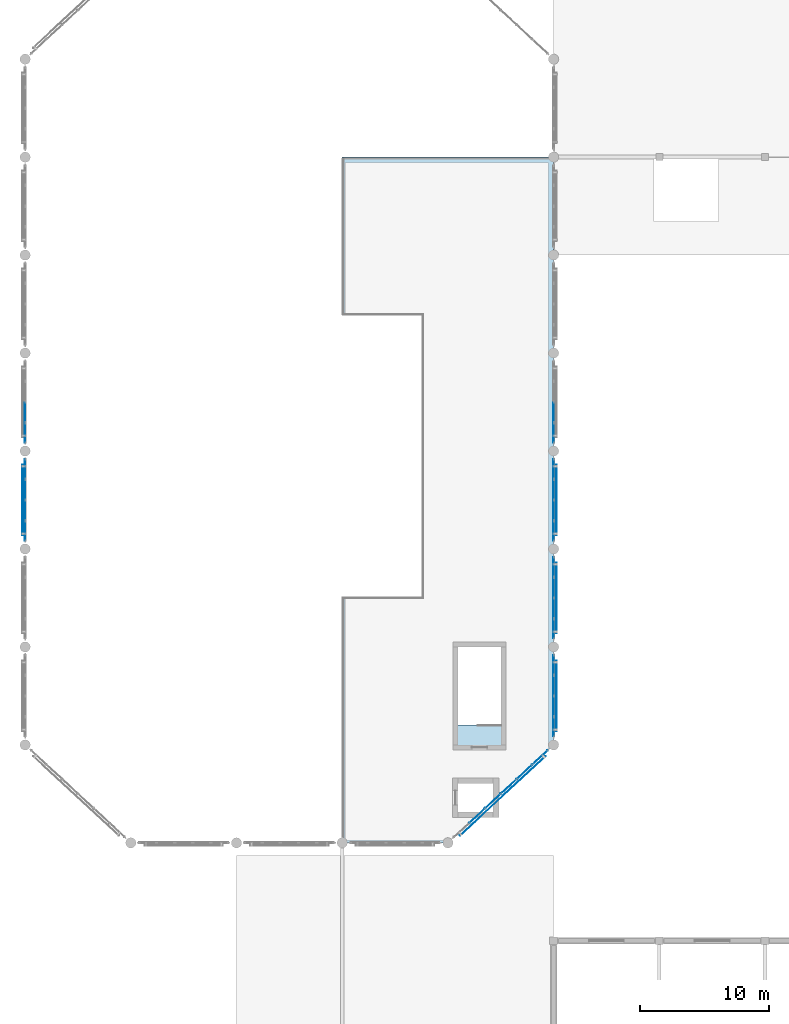
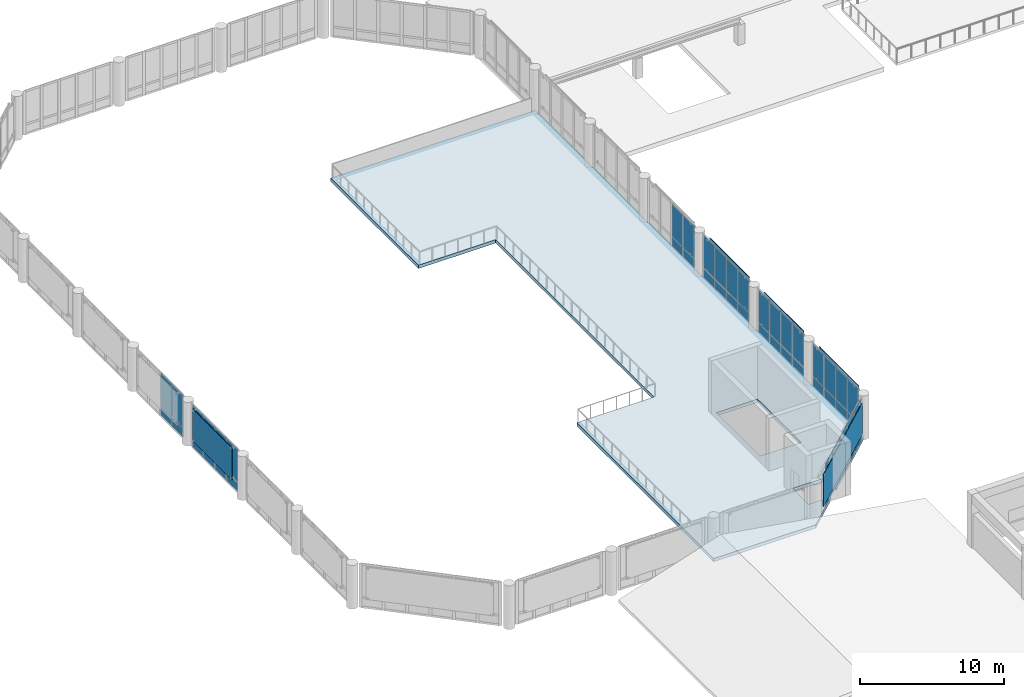
# One storey, part 28 of 49: 55 plates, 1 slab, 7 elements without a shape of their own.
"""IFC4 building model written with IfcOpenShell, lengths in metres."""

from ifc_helpers import new_model, si_unit, direction, frame, origin, origin_2d, place, context, subcontext, project, spatial, polyline, rectangle, outline, extrude, material, layer, layer_set, type_object, element, aggregate, save


model = new_model("IFC4")

# Units and contexts
model_context = context("Model", 3, precision=1e-05, world=origin(), true_north=direction((0.0, 1.0)))
body_context = subcontext(model_context, "Body", "Model", "MODEL_VIEW")
ifc_project = project(units=[si_unit("LENGTHUNIT", "METRE"), si_unit("AREAUNIT", "SQUARE_METRE"), si_unit("VOLUMEUNIT", "CUBIC_METRE"), si_unit("PLANEANGLEUNIT", "RADIAN"), si_unit("MASSUNIT", "GRAM", prefix="KILO")], contexts=[model_context])

# Site, building, storey
site_placement = place(None, origin())
site = spatial("IfcSite", under=ifc_project, at=site_placement, CompositionType="ELEMENT")
building_placement = place(site_placement, origin())
building = spatial("IfcBuilding", under=site, at=building_placement, Name="Qandaris Square Conservatory and Botanical Centre", CompositionType="ELEMENT")
storey_placement = place(building_placement, frame((0.0, 0.0, 10.199951171875)))
storey = spatial("IfcBuildingStorey", under=building, at=storey_placement, Name="L02", CompositionType="ELEMENT", Elevation=10.199951171875)

# Curtain wall, plates
ifc_material_1 = material(Name="Anodised Aluminium", Category="aluminium")
curtain_wall_type_1 = type_object("IfcCurtainWallType", Name="Unitised Curtain Wall CW-2-1002x370", PredefinedType="USERDEFINED", material=ifc_material_1)
curtain_wall_1_placement = place(storey_placement, origin())
curtain_wall_1 = element("IfcCurtainWall", 1, at=curtain_wall_1_placement, inside=storey, type_object=curtain_wall_type_1, Name="Curtain Wall CW-CON-L02-2-1", ObjectType="GLAZED CURTAIN WALL", PredefinedType="USERDEFINED")
ifc_material_2 = material(Name="Tempered Low-E Glass", Category="glass")
ifc_layer_1 = layer(ifc_material_2, 0.0400390625)
ifc_layer_set_1 = layer_set([ifc_layer_1], Name="Tempered Low-E Glass")
plate_type_1 = type_object("IfcPlateType", Name="Conservatory Laminated Low-Iron Biome Glass 40mm", PredefinedType="CURTAIN_PANEL", material=ifc_layer_set_1)
plate_1_placement = place(storey_placement, frame((51.2626953125, 49.09716796875, 0.0751953125), z_axis=(0.0, 0.0, 1.0), x_axis=(0.733432966404, 0.679761784592, 0.0)))
plate_1 = element("IfcPlate", 2, at=plate_1_placement, type_object=plate_type_1, Name="CW-2-1002x370 panel 2.1", PredefinedType="CURTAIN_PANEL", context=body_context, shape_type="SweptSolid", body=[
    extrude(rectangle(XDim=1.594970703125, YDim=0.0400390625, at=origin_2d()), origin(), (0.0, 0.0, 1.0), 0.737548828125),
])
plate_2_placement = place(storey_placement, frame((51.2626953125, 49.09716796875, 0.8876953125), z_axis=(0.0, 0.0, 1.0), x_axis=(0.733432966404, 0.679761784592, 0.0)))
plate_2 = element("IfcPlate", 3, at=plate_2_placement, type_object=plate_type_1, Name="CW-2-1002x370 panel 2.2", PredefinedType="CURTAIN_PANEL", context=body_context, shape_type="SweptSolid", body=[
    extrude(rectangle(XDim=1.594970703125, YDim=0.0400390625, at=origin_2d()), origin(), (0.0, 0.0, 1.0), 2.737548828125),
])
plate_3_placement = place(storey_placement, frame((52.487548828125, 50.232421875, 0.0751953125), z_axis=(0.0, 0.0, 1.0), x_axis=(0.733432966404, 0.679761784592, 0.0)))
plate_3 = element("IfcPlate", 4, at=plate_3_placement, type_object=plate_type_1, Name="CW-2-1002x370 panel 3.1", PredefinedType="CURTAIN_PANEL", context=body_context, shape_type="SweptSolid", body=[
    extrude(rectangle(XDim=1.594970703125, YDim=0.0400390625, at=origin_2d()), origin(), (0.0, 0.0, 1.0), 0.737548828125),
])
plate_4_placement = place(storey_placement, frame((52.487548828125, 50.232421875, 0.8876953125), z_axis=(0.0, 0.0, 1.0), x_axis=(0.733432966404, 0.679761784592, 0.0)))
plate_4 = element("IfcPlate", 5, at=plate_4_placement, type_object=plate_type_1, Name="CW-2-1002x370 panel 3.2", PredefinedType="CURTAIN_PANEL", context=body_context, shape_type="SweptSolid", body=[
    extrude(rectangle(XDim=1.594970703125, YDim=0.0400390625, at=origin_2d()), origin(), (0.0, 0.0, 1.0), 2.737548828125),
])
plate_5_placement = place(storey_placement, frame((53.71240234375, 51.36767578125, 0.0751953125), z_axis=(0.0, 0.0, 1.0), x_axis=(0.733432966404, 0.679761784592, 0.0)))
plate_5 = element("IfcPlate", 6, at=plate_5_placement, type_object=plate_type_1, Name="CW-2-1002x370 panel 4.1", PredefinedType="CURTAIN_PANEL", context=body_context, shape_type="SweptSolid", body=[
    extrude(rectangle(XDim=1.594970703125, YDim=0.0400390625, at=origin_2d()), origin(), (0.0, 0.0, 1.0), 0.737548828125),
])
plate_6_placement = place(storey_placement, frame((53.71240234375, 51.36767578125, 0.8876953125), z_axis=(0.0, 0.0, 1.0), x_axis=(0.733432966404, 0.679761784592, 0.0)))
plate_6 = element("IfcPlate", 7, at=plate_6_placement, type_object=plate_type_1, Name="CW-2-1002x370 panel 4.2", PredefinedType="CURTAIN_PANEL", context=body_context, shape_type="SweptSolid", body=[
    extrude(rectangle(XDim=1.594970703125, YDim=0.0400390625, at=origin_2d()), origin(), (0.0, 0.0, 1.0), 2.737548828125),
])
plate_7_placement = place(storey_placement, frame((54.937255859375, 52.5029296875, 0.0751953125), z_axis=(0.0, 0.0, 1.0), x_axis=(0.733432966404, 0.679761784592, 0.0)))
plate_7 = element("IfcPlate", 8, at=plate_7_placement, type_object=plate_type_1, Name="CW-2-1002x370 panel 5.1", PredefinedType="CURTAIN_PANEL", context=body_context, shape_type="SweptSolid", body=[
    extrude(rectangle(XDim=1.594970703125, YDim=0.0400390625, at=origin_2d()), origin(), (0.0, 0.0, 1.0), 0.737548828125),
])
plate_8_placement = place(storey_placement, frame((54.937255859375, 52.5029296875, 0.8876953125), z_axis=(0.0, 0.0, 1.0), x_axis=(0.733432966404, 0.679761784592, 0.0)))
plate_8 = element("IfcPlate", 9, at=plate_8_placement, type_object=plate_type_1, Name="CW-2-1002x370 panel 5.2", PredefinedType="CURTAIN_PANEL", context=body_context, shape_type="SweptSolid", body=[
    extrude(rectangle(XDim=1.594970703125, YDim=0.0400390625, at=origin_2d()), origin(), (0.0, 0.0, 1.0), 2.737548828125),
])
plate_9_placement = place(storey_placement, frame((56.1484375, 53.625244140625, 0.0751953125), z_axis=(0.0, 0.0, 1.0), x_axis=(0.733432966404, 0.679761784592, 0.0)))
plate_9 = element("IfcPlate", 10, at=plate_9_placement, type_object=plate_type_1, Name="CW-2-1002x370 panel 6.1", PredefinedType="CURTAIN_PANEL", context=body_context, shape_type="SweptSolid", body=[
    extrude(rectangle(XDim=1.5576171875, YDim=0.0400390625, at=origin_2d()), origin(), (0.0, 0.0, 1.0), 0.737548828125),
])
plate_10_placement = place(storey_placement, frame((56.1484375, 53.625244140625, 0.8876953125), z_axis=(0.0, 0.0, 1.0), x_axis=(0.733432966404, 0.679761784592, 0.0)))
plate_10 = element("IfcPlate", 11, at=plate_10_placement, type_object=plate_type_1, Name="CW-2-1002x370 panel 6.2", PredefinedType="CURTAIN_PANEL", context=body_context, shape_type="SweptSolid", body=[
    extrude(rectangle(XDim=1.5576171875, YDim=0.0400390625, at=origin_2d()), origin(), (0.0, 0.0, 1.0), 2.737548828125),
])
aggregate(curtain_wall_1, [plate_1, plate_2, plate_3, plate_4, plate_5, plate_6, plate_7, plate_8, plate_9, plate_10])

curtain_wall_type_2 = type_object("IfcCurtainWallType", Name="Unitised Curtain Wall CW-2-644x370", PredefinedType="USERDEFINED", material=ifc_material_1)
curtain_wall_2_placement = place(storey_placement, origin())
curtain_wall_2 = element("IfcCurtainWall", 12, at=curtain_wall_2_placement, inside=storey, type_object=curtain_wall_type_2, Name="Curtain Wall CW-CON-L02-3-1", ObjectType="GLAZED CURTAIN WALL", PredefinedType="USERDEFINED")
plate_11_placement = place(storey_placement, frame((57.199951171875, 56.003662109375, 0.0751953125), z_axis=(0.0, 0.0, 1.0), x_axis=(0.0, 1.0, 0.0)))
plate_11 = element("IfcPlate", 13, at=plate_11_placement, type_object=plate_type_1, Name="CW-2-644x370 panel 1.1", PredefinedType="CURTAIN_PANEL", context=body_context, shape_type="SweptSolid", body=[
    extrude(rectangle(XDim=1.49755859375, YDim=0.0400390625, at=origin_2d()), origin(), (0.0, 0.0, 1.0), 0.737548828125),
])
plate_12_placement = place(storey_placement, frame((57.199951171875, 56.003662109375, 0.8876953125), z_axis=(0.0, 0.0, 1.0), x_axis=(0.0, 1.0, 0.0)))
plate_12 = element("IfcPlate", 14, at=plate_12_placement, type_object=plate_type_1, Name="CW-2-644x370 panel 1.2", PredefinedType="CURTAIN_PANEL", context=body_context, shape_type="SweptSolid", body=[
    extrude(rectangle(XDim=1.49755859375, YDim=0.0400390625, at=origin_2d()), origin(), (0.0, 0.0, 1.0), 2.737548828125),
])
plate_13_placement = place(storey_placement, frame((57.199951171875, 57.594970703125, 0.0751953125), z_axis=(0.0, 0.0, 1.0), x_axis=(0.0, 1.0, 0.0)))
plate_13 = element("IfcPlate", 15, at=plate_13_placement, type_object=plate_type_1, Name="CW-2-644x370 panel 2.1", PredefinedType="CURTAIN_PANEL", context=body_context, shape_type="SweptSolid", body=[
    extrude(rectangle(XDim=1.534912109375, YDim=0.0400390625, at=origin_2d()), origin(), (0.0, 0.0, 1.0), 0.737548828125),
])
plate_14_placement = place(storey_placement, frame((57.199951171875, 57.594970703125, 0.8876953125), z_axis=(0.0, 0.0, 1.0), x_axis=(0.0, 1.0, 0.0)))
plate_14 = element("IfcPlate", 16, at=plate_14_placement, type_object=plate_type_1, Name="CW-2-644x370 panel 2.2", PredefinedType="CURTAIN_PANEL", context=body_context, shape_type="SweptSolid", body=[
    extrude(rectangle(XDim=1.534912109375, YDim=0.0400390625, at=origin_2d()), origin(), (0.0, 0.0, 1.0), 2.737548828125),
])
plate_15_placement = place(storey_placement, frame((57.199951171875, 59.205078125, 0.0751953125), z_axis=(0.0, 0.0, 1.0), x_axis=(0.0, 1.0, 0.0)))
plate_15 = element("IfcPlate", 17, at=plate_15_placement, type_object=plate_type_1, Name="CW-2-644x370 panel 3.1", PredefinedType="CURTAIN_PANEL", context=body_context, shape_type="SweptSolid", body=[
    extrude(rectangle(XDim=1.534912109375, YDim=0.0400390625, at=origin_2d()), origin(), (0.0, 0.0, 1.0), 0.737548828125),
])
plate_16_placement = place(storey_placement, frame((57.199951171875, 59.205078125, 0.8876953125), z_axis=(0.0, 0.0, 1.0), x_axis=(0.0, 1.0, 0.0)))
plate_16 = element("IfcPlate", 18, at=plate_16_placement, type_object=plate_type_1, Name="CW-2-644x370 panel 3.2", PredefinedType="CURTAIN_PANEL", context=body_context, shape_type="SweptSolid", body=[
    extrude(rectangle(XDim=1.534912109375, YDim=0.0400390625, at=origin_2d()), origin(), (0.0, 0.0, 1.0), 2.737548828125),
])
plate_17_placement = place(storey_placement, frame((57.199951171875, 60.796142578125, 0.0751953125), z_axis=(0.0, 0.0, 1.0), x_axis=(0.0, 1.0, 0.0)))
plate_17 = element("IfcPlate", 19, at=plate_17_placement, type_object=plate_type_1, Name="CW-2-644x370 panel 4.1", PredefinedType="CURTAIN_PANEL", context=body_context, shape_type="SweptSolid", body=[
    extrude(rectangle(XDim=1.49755859375, YDim=0.0400390625, at=origin_2d()), origin(), (0.0, 0.0, 1.0), 0.737548828125),
])
plate_18_placement = place(storey_placement, frame((57.199951171875, 60.796142578125, 0.8876953125), z_axis=(0.0, 0.0, 1.0), x_axis=(0.0, 1.0, 0.0)))
plate_18 = element("IfcPlate", 20, at=plate_18_placement, type_object=plate_type_1, Name="CW-2-644x370 panel 4.2", PredefinedType="CURTAIN_PANEL", context=body_context, shape_type="SweptSolid", body=[
    extrude(rectangle(XDim=1.49755859375, YDim=0.0400390625, at=origin_2d()), origin(), (0.0, 0.0, 1.0), 2.737548828125),
])
aggregate(curtain_wall_2, [plate_11, plate_12, plate_13, plate_14, plate_15, plate_16, plate_17, plate_18])

curtain_wall_3_placement = place(storey_placement, origin())
curtain_wall_3 = element("IfcCurtainWall", 21, at=curtain_wall_3_placement, inside=storey, type_object=curtain_wall_type_2, Name="Curtain Wall CW-CON-L02-3-2", ObjectType="GLAZED CURTAIN WALL", PredefinedType="USERDEFINED")
plate_19_placement = place(storey_placement, frame((57.199951171875, 63.603759765625, 0.0751953125), z_axis=(0.0, 0.0, 1.0), x_axis=(0.0, 1.0, 0.0)))
plate_19 = element("IfcPlate", 22, at=plate_19_placement, type_object=plate_type_1, Name="CW-2-644x370 panel 1.1", PredefinedType="CURTAIN_PANEL", context=body_context, shape_type="SweptSolid", body=[
    extrude(rectangle(XDim=1.49755859375, YDim=0.0400390625, at=origin_2d()), origin(), (0.0, 0.0, 1.0), 0.737548828125),
])
plate_20_placement = place(storey_placement, frame((57.199951171875, 63.603759765625, 0.8876953125), z_axis=(0.0, 0.0, 1.0), x_axis=(0.0, 1.0, 0.0)))
plate_20 = element("IfcPlate", 23, at=plate_20_placement, type_object=plate_type_1, Name="CW-2-644x370 panel 1.2", PredefinedType="CURTAIN_PANEL", context=body_context, shape_type="SweptSolid", body=[
    extrude(rectangle(XDim=1.49755859375, YDim=0.0400390625, at=origin_2d()), origin(), (0.0, 0.0, 1.0), 2.737548828125),
])
plate_21_placement = place(storey_placement, frame((57.199951171875, 65.195068359375, 0.0751953125), z_axis=(0.0, 0.0, 1.0), x_axis=(0.0, 1.0, 0.0)))
plate_21 = element("IfcPlate", 24, at=plate_21_placement, type_object=plate_type_1, Name="CW-2-644x370 panel 2.1", PredefinedType="CURTAIN_PANEL", context=body_context, shape_type="SweptSolid", body=[
    extrude(rectangle(XDim=1.534912109375, YDim=0.0400390625, at=origin_2d()), origin(), (0.0, 0.0, 1.0), 0.737548828125),
])
plate_22_placement = place(storey_placement, frame((57.199951171875, 65.195068359375, 0.8876953125), z_axis=(0.0, 0.0, 1.0), x_axis=(0.0, 1.0, 0.0)))
plate_22 = element("IfcPlate", 25, at=plate_22_placement, type_object=plate_type_1, Name="CW-2-644x370 panel 2.2", PredefinedType="CURTAIN_PANEL", context=body_context, shape_type="SweptSolid", body=[
    extrude(rectangle(XDim=1.534912109375, YDim=0.0400390625, at=origin_2d()), origin(), (0.0, 0.0, 1.0), 2.737548828125),
])
plate_23_placement = place(storey_placement, frame((57.199951171875, 66.804931640625, 0.0751953125), z_axis=(0.0, 0.0, 1.0), x_axis=(0.0, 1.0, 0.0)))
plate_23 = element("IfcPlate", 26, at=plate_23_placement, type_object=plate_type_1, Name="CW-2-644x370 panel 3.1", PredefinedType="CURTAIN_PANEL", context=body_context, shape_type="SweptSolid", body=[
    extrude(rectangle(XDim=1.534912109375, YDim=0.0400390625, at=origin_2d()), origin(), (0.0, 0.0, 1.0), 0.737548828125),
])
plate_24_placement = place(storey_placement, frame((57.199951171875, 66.804931640625, 0.8876953125), z_axis=(0.0, 0.0, 1.0), x_axis=(0.0, 1.0, 0.0)))
plate_24 = element("IfcPlate", 27, at=plate_24_placement, type_object=plate_type_1, Name="CW-2-644x370 panel 3.2", PredefinedType="CURTAIN_PANEL", context=body_context, shape_type="SweptSolid", body=[
    extrude(rectangle(XDim=1.534912109375, YDim=0.0400390625, at=origin_2d()), origin(), (0.0, 0.0, 1.0), 2.737548828125),
])
plate_25_placement = place(storey_placement, frame((57.199951171875, 68.396240234375, 0.0751953125), z_axis=(0.0, 0.0, 1.0), x_axis=(0.0, 1.0, 0.0)))
plate_25 = element("IfcPlate", 28, at=plate_25_placement, type_object=plate_type_1, Name="CW-2-644x370 panel 4.1", PredefinedType="CURTAIN_PANEL", context=body_context, shape_type="SweptSolid", body=[
    extrude(rectangle(XDim=1.49755859375, YDim=0.0400390625, at=origin_2d()), origin(), (0.0, 0.0, 1.0), 0.737548828125),
])
plate_26_placement = place(storey_placement, frame((57.199951171875, 68.396240234375, 0.8876953125), z_axis=(0.0, 0.0, 1.0), x_axis=(0.0, 1.0, 0.0)))
plate_26 = element("IfcPlate", 29, at=plate_26_placement, type_object=plate_type_1, Name="CW-2-644x370 panel 4.2", PredefinedType="CURTAIN_PANEL", context=body_context, shape_type="SweptSolid", body=[
    extrude(rectangle(XDim=1.49755859375, YDim=0.0400390625, at=origin_2d()), origin(), (0.0, 0.0, 1.0), 2.737548828125),
])
aggregate(curtain_wall_3, [plate_19, plate_20, plate_21, plate_22, plate_23, plate_24, plate_25, plate_26])

curtain_wall_4_placement = place(storey_placement, origin())
curtain_wall_4 = element("IfcCurtainWall", 30, at=curtain_wall_4_placement, inside=storey, type_object=curtain_wall_type_2, Name="Curtain Wall CW-CON-L02-3-3", ObjectType="GLAZED CURTAIN WALL", PredefinedType="USERDEFINED")
plate_27_placement = place(storey_placement, frame((57.199951171875, 71.203857421875, 0.0751953125), z_axis=(0.0, 0.0, 1.0), x_axis=(0.0, 1.0, 0.0)))
plate_27 = element("IfcPlate", 31, at=plate_27_placement, type_object=plate_type_1, Name="CW-2-644x370 panel 1.1", PredefinedType="CURTAIN_PANEL", context=body_context, shape_type="SweptSolid", body=[
    extrude(rectangle(XDim=1.49755859375, YDim=0.0400390625, at=origin_2d()), origin(), (0.0, 0.0, 1.0), 0.737548828125),
])
plate_28_placement = place(storey_placement, frame((57.199951171875, 71.203857421875, 0.8876953125), z_axis=(0.0, 0.0, 1.0), x_axis=(0.0, 1.0, 0.0)))
plate_28 = element("IfcPlate", 32, at=plate_28_placement, type_object=plate_type_1, Name="CW-2-644x370 panel 1.2", PredefinedType="CURTAIN_PANEL", context=body_context, shape_type="SweptSolid", body=[
    extrude(rectangle(XDim=1.49755859375, YDim=0.0400390625, at=origin_2d()), origin(), (0.0, 0.0, 1.0), 2.737548828125),
])
plate_29_placement = place(storey_placement, frame((57.199951171875, 72.794921875, 0.0751953125), z_axis=(0.0, 0.0, 1.0), x_axis=(0.0, 1.0, 0.0)))
plate_29 = element("IfcPlate", 33, at=plate_29_placement, type_object=plate_type_1, Name="CW-2-644x370 panel 2.1", PredefinedType="CURTAIN_PANEL", context=body_context, shape_type="SweptSolid", body=[
    extrude(rectangle(XDim=1.534912109375, YDim=0.0400390625, at=origin_2d()), origin(), (0.0, 0.0, 1.0), 0.737548828125),
])
plate_30_placement = place(storey_placement, frame((57.199951171875, 72.794921875, 0.8876953125), z_axis=(0.0, 0.0, 1.0), x_axis=(0.0, 1.0, 0.0)))
plate_30 = element("IfcPlate", 34, at=plate_30_placement, type_object=plate_type_1, Name="CW-2-644x370 panel 2.2", PredefinedType="CURTAIN_PANEL", context=body_context, shape_type="SweptSolid", body=[
    extrude(rectangle(XDim=1.534912109375, YDim=0.0400390625, at=origin_2d()), origin(), (0.0, 0.0, 1.0), 2.737548828125),
])
plate_31_placement = place(storey_placement, frame((57.199951171875, 74.405029296875, 0.0751953125), z_axis=(0.0, 0.0, 1.0), x_axis=(0.0, 1.0, 0.0)))
plate_31 = element("IfcPlate", 35, at=plate_31_placement, type_object=plate_type_1, Name="CW-2-644x370 panel 3.1", PredefinedType="CURTAIN_PANEL", context=body_context, shape_type="SweptSolid", body=[
    extrude(rectangle(XDim=1.534912109375, YDim=0.0400390625, at=origin_2d()), origin(), (0.0, 0.0, 1.0), 0.737548828125),
])
plate_32_placement = place(storey_placement, frame((57.199951171875, 74.405029296875, 0.8876953125), z_axis=(0.0, 0.0, 1.0), x_axis=(0.0, 1.0, 0.0)))
plate_32 = element("IfcPlate", 36, at=plate_32_placement, type_object=plate_type_1, Name="CW-2-644x370 panel 3.2", PredefinedType="CURTAIN_PANEL", context=body_context, shape_type="SweptSolid", body=[
    extrude(rectangle(XDim=1.534912109375, YDim=0.0400390625, at=origin_2d()), origin(), (0.0, 0.0, 1.0), 2.737548828125),
])
plate_33_placement = place(storey_placement, frame((57.199951171875, 75.996337890625, 0.0751953125), z_axis=(0.0, 0.0, 1.0), x_axis=(0.0, 1.0, 0.0)))
plate_33 = element("IfcPlate", 37, at=plate_33_placement, type_object=plate_type_1, Name="CW-2-644x370 panel 4.1", PredefinedType="CURTAIN_PANEL", context=body_context, shape_type="SweptSolid", body=[
    extrude(rectangle(XDim=1.49755859375, YDim=0.0400390625, at=origin_2d()), origin(), (0.0, 0.0, 1.0), 0.737548828125),
])
plate_34_placement = place(storey_placement, frame((57.199951171875, 75.996337890625, 0.8876953125), z_axis=(0.0, 0.0, 1.0), x_axis=(0.0, 1.0, 0.0)))
plate_34 = element("IfcPlate", 38, at=plate_34_placement, type_object=plate_type_1, Name="CW-2-644x370 panel 4.2", PredefinedType="CURTAIN_PANEL", context=body_context, shape_type="SweptSolid", body=[
    extrude(rectangle(XDim=1.49755859375, YDim=0.0400390625, at=origin_2d()), origin(), (0.0, 0.0, 1.0), 2.737548828125),
])
aggregate(curtain_wall_4, [plate_27, plate_28, plate_29, plate_30, plate_31, plate_32, plate_33, plate_34])

curtain_wall_5_placement = place(storey_placement, origin())
curtain_wall_5 = element("IfcCurtainWall", 39, at=curtain_wall_5_placement, inside=storey, type_object=curtain_wall_type_2, Name="Curtain Wall CW-CON-L02-3-4", ObjectType="GLAZED CURTAIN WALL", PredefinedType="USERDEFINED")
plate_35_placement = place(storey_placement, frame((57.199951171875, 78.8037109375, 0.0751953125), z_axis=(0.0, 0.0, 1.0), x_axis=(0.0, 1.0, 0.0)))
plate_35 = element("IfcPlate", 40, at=plate_35_placement, type_object=plate_type_1, Name="CW-2-644x370 panel 1.1", PredefinedType="CURTAIN_PANEL", context=body_context, shape_type="SweptSolid", body=[
    extrude(rectangle(XDim=1.49755859375, YDim=0.0400390625, at=origin_2d()), origin(), (0.0, 0.0, 1.0), 0.737548828125),
])
plate_36_placement = place(storey_placement, frame((57.199951171875, 78.8037109375, 0.8876953125), z_axis=(0.0, 0.0, 1.0), x_axis=(0.0, 1.0, 0.0)))
plate_36 = element("IfcPlate", 41, at=plate_36_placement, type_object=plate_type_1, Name="CW-2-644x370 panel 1.2", PredefinedType="CURTAIN_PANEL", context=body_context, shape_type="SweptSolid", body=[
    extrude(rectangle(XDim=1.49755859375, YDim=0.0400390625, at=origin_2d()), origin(), (0.0, 0.0, 1.0), 2.737548828125),
])
plate_37_placement = place(storey_placement, frame((57.199951171875, 80.39501953125, 0.0751953125), z_axis=(0.0, 0.0, 1.0), x_axis=(0.0, 1.0, 0.0)))
plate_37 = element("IfcPlate", 42, at=plate_37_placement, type_object=plate_type_1, Name="CW-2-644x370 panel 2.1", PredefinedType="CURTAIN_PANEL", context=body_context, shape_type="SweptSolid", body=[
    extrude(rectangle(XDim=1.534912109375, YDim=0.0400390625, at=origin_2d()), origin(), (0.0, 0.0, 1.0), 0.737548828125),
])
plate_38_placement = place(storey_placement, frame((57.199951171875, 80.39501953125, 0.8876953125), z_axis=(0.0, 0.0, 1.0), x_axis=(0.0, 1.0, 0.0)))
plate_38 = element("IfcPlate", 43, at=plate_38_placement, type_object=plate_type_1, Name="CW-2-644x370 panel 2.2", PredefinedType="CURTAIN_PANEL", context=body_context, shape_type="SweptSolid", body=[
    extrude(rectangle(XDim=1.534912109375, YDim=0.0400390625, at=origin_2d()), origin(), (0.0, 0.0, 1.0), 2.737548828125),
])
aggregate(curtain_wall_5, [plate_35, plate_36, plate_37, plate_38])

curtain_wall_6_placement = place(storey_placement, origin())
curtain_wall_6 = element("IfcCurtainWall", 44, at=curtain_wall_6_placement, inside=storey, type_object=curtain_wall_type_2, Name="Curtain Wall CW-CON-L02-7-4", ObjectType="GLAZED CURTAIN WALL", PredefinedType="USERDEFINED")
plate_39_placement = place(storey_placement, frame((16.199951171875, 80.39501953125, 0.0751953125), z_axis=(0.0, 0.0, 1.0), x_axis=(0.0, -1.0, 0.0)))
plate_39 = element("IfcPlate", 45, at=plate_39_placement, type_object=plate_type_1, Name="CW-2-644x370 panel 3.1", PredefinedType="CURTAIN_PANEL", context=body_context, shape_type="SweptSolid", body=[
    extrude(rectangle(XDim=1.534912109375, YDim=0.0400390625, at=origin_2d()), origin(), (0.0, 0.0, 1.0), 0.737548828125),
])
plate_40_placement = place(storey_placement, frame((16.199951171875, 80.39501953125, 0.8876953125), z_axis=(0.0, 0.0, 1.0), x_axis=(0.0, -1.0, 0.0)))
plate_40 = element("IfcPlate", 46, at=plate_40_placement, type_object=plate_type_1, Name="CW-2-644x370 panel 3.2", PredefinedType="CURTAIN_PANEL", context=body_context, shape_type="SweptSolid", body=[
    extrude(rectangle(XDim=1.534912109375, YDim=0.0400390625, at=origin_2d()), origin(), (0.0, 0.0, 1.0), 2.737548828125),
])
plate_41_placement = place(storey_placement, frame((16.199951171875, 78.8037109375, 0.0751953125), z_axis=(0.0, 0.0, 1.0), x_axis=(0.0, -1.0, 0.0)))
plate_41 = element("IfcPlate", 47, at=plate_41_placement, type_object=plate_type_1, Name="CW-2-644x370 panel 4.1", PredefinedType="CURTAIN_PANEL", context=body_context, shape_type="SweptSolid", body=[
    extrude(rectangle(XDim=1.49755859375, YDim=0.0400390625, at=origin_2d()), origin(), (0.0, 0.0, 1.0), 0.737548828125),
])
plate_42_placement = place(storey_placement, frame((16.199951171875, 78.8037109375, 0.8876953125), z_axis=(0.0, 0.0, 1.0), x_axis=(0.0, -1.0, 0.0)))
plate_42 = element("IfcPlate", 48, at=plate_42_placement, type_object=plate_type_1, Name="CW-2-644x370 panel 4.2", PredefinedType="CURTAIN_PANEL", context=body_context, shape_type="SweptSolid", body=[
    extrude(rectangle(XDim=1.49755859375, YDim=0.0400390625, at=origin_2d()), origin(), (0.0, 0.0, 1.0), 2.737548828125),
])
aggregate(curtain_wall_6, [plate_39, plate_40, plate_41, plate_42])

curtain_wall_7_placement = place(storey_placement, origin())
curtain_wall_7 = element("IfcCurtainWall", 49, at=curtain_wall_7_placement, inside=storey, type_object=curtain_wall_type_2, Name="Curtain Wall CW-CON-L02-7-5", ObjectType="GLAZED CURTAIN WALL", PredefinedType="USERDEFINED")
plate_43_placement = place(storey_placement, frame((16.199951171875, 75.996337890625, 0.0751953125), z_axis=(0.0, 0.0, 1.0), x_axis=(0.0, -1.0, 0.0)))
plate_43 = element("IfcPlate", 50, at=plate_43_placement, type_object=plate_type_1, Name="CW-2-644x370 panel 1.1", PredefinedType="CURTAIN_PANEL", context=body_context, shape_type="SweptSolid", body=[
    extrude(rectangle(XDim=1.49755859375, YDim=0.0400390625, at=origin_2d()), origin(), (0.0, 0.0, 1.0), 0.737548828125),
])
plate_44_placement = place(storey_placement, frame((16.199951171875, 75.996337890625, 0.8876953125), z_axis=(0.0, 0.0, 1.0), x_axis=(0.0, -1.0, 0.0)))
plate_44 = element("IfcPlate", 51, at=plate_44_placement, type_object=plate_type_1, Name="CW-2-644x370 panel 1.2", PredefinedType="CURTAIN_PANEL", context=body_context, shape_type="SweptSolid", body=[
    extrude(rectangle(XDim=1.49755859375, YDim=0.0400390625, at=origin_2d()), origin(), (0.0, 0.0, 1.0), 2.737548828125),
])
plate_45_placement = place(storey_placement, frame((16.199951171875, 74.405029296875, 0.0751953125), z_axis=(0.0, 0.0, 1.0), x_axis=(0.0, -1.0, 0.0)))
plate_45 = element("IfcPlate", 52, at=plate_45_placement, type_object=plate_type_1, Name="CW-2-644x370 panel 2.1", PredefinedType="CURTAIN_PANEL", context=body_context, shape_type="SweptSolid", body=[
    extrude(rectangle(XDim=1.534912109375, YDim=0.0400390625, at=origin_2d()), origin(), (0.0, 0.0, 1.0), 0.737548828125),
])
plate_46_placement = place(storey_placement, frame((16.199951171875, 74.405029296875, 0.8876953125), z_axis=(0.0, 0.0, 1.0), x_axis=(0.0, -1.0, 0.0)))
plate_46 = element("IfcPlate", 53, at=plate_46_placement, type_object=plate_type_1, Name="CW-2-644x370 panel 2.2", PredefinedType="CURTAIN_PANEL", context=body_context, shape_type="SweptSolid", body=[
    extrude(rectangle(XDim=1.534912109375, YDim=0.0400390625, at=origin_2d()), origin(), (0.0, 0.0, 1.0), 2.737548828125),
])
plate_47_placement = place(storey_placement, frame((16.199951171875, 72.794921875, 0.0751953125), z_axis=(0.0, 0.0, 1.0), x_axis=(0.0, -1.0, 0.0)))
plate_47 = element("IfcPlate", 54, at=plate_47_placement, type_object=plate_type_1, Name="CW-2-644x370 panel 3.1", PredefinedType="CURTAIN_PANEL", context=body_context, shape_type="SweptSolid", body=[
    extrude(rectangle(XDim=1.534912109375, YDim=0.0400390625, at=origin_2d()), origin(), (0.0, 0.0, 1.0), 0.737548828125),
])
plate_48_placement = place(storey_placement, frame((16.199951171875, 72.794921875, 0.8876953125), z_axis=(0.0, 0.0, 1.0), x_axis=(0.0, -1.0, 0.0)))
plate_48 = element("IfcPlate", 55, at=plate_48_placement, type_object=plate_type_1, Name="CW-2-644x370 panel 3.2", PredefinedType="CURTAIN_PANEL", context=body_context, shape_type="SweptSolid", body=[
    extrude(rectangle(XDim=1.534912109375, YDim=0.0400390625, at=origin_2d()), origin(), (0.0, 0.0, 1.0), 2.737548828125),
])
plate_49_placement = place(storey_placement, frame((16.199951171875, 71.203857421875, 0.0751953125), z_axis=(0.0, 0.0, 1.0), x_axis=(0.0, -1.0, 0.0)))
plate_49 = element("IfcPlate", 56, at=plate_49_placement, type_object=plate_type_1, Name="CW-2-644x370 panel 4.1", PredefinedType="CURTAIN_PANEL", context=body_context, shape_type="SweptSolid", body=[
    extrude(rectangle(XDim=1.49755859375, YDim=0.0400390625, at=origin_2d()), origin(), (0.0, 0.0, 1.0), 0.737548828125),
])
plate_50_placement = place(storey_placement, frame((16.199951171875, 71.203857421875, 0.8876953125), z_axis=(0.0, 0.0, 1.0), x_axis=(0.0, -1.0, 0.0)))
plate_50 = element("IfcPlate", 57, at=plate_50_placement, type_object=plate_type_1, Name="CW-2-644x370 panel 4.2", PredefinedType="CURTAIN_PANEL", context=body_context, shape_type="SweptSolid", body=[
    extrude(rectangle(XDim=1.49755859375, YDim=0.0400390625, at=origin_2d()), origin(), (0.0, 0.0, 1.0), 2.737548828125),
])
aggregate(curtain_wall_7, [plate_43, plate_44, plate_45, plate_46, plate_47, plate_48, plate_49, plate_50])

# Plates
ifc_material_3 = material(Name="Weathering Bronze Alloy", Category="metal")
ifc_layer_2 = layer(ifc_material_3, 0.044921875)
ifc_layer_set_2 = layer_set([ifc_layer_2], Name="Weathering Bronze Alloy")
plate_type_2 = type_object("IfcPlateType", Name="Perforated Bronze Mashrabiya Solar Screen Panel", PredefinedType="USERDEFINED", material=ifc_layer_set_2)
plate_51_placement = place(storey_placement, frame((53.24951171875, 50.638671875, 0.880126953125), z_axis=(0.0, 0.0, 1.0), x_axis=(0.733432966404, 0.679761784592, 0.0)))
element("IfcPlate", 58, at=plate_51_placement, inside=storey, type_object=plate_type_2, Name="Mashrabiya Solar Screen CW-CON-L02-2-1", ObjectType="SOLAR SCREEN", PredefinedType="USERDEFINED", context=body_context, shape_type="SweptSolid", body=[
    extrude(rectangle(XDim=9.060302734375, YDim=0.044921875, at=origin_2d()), origin(), (0.0, 0.0, 1.0), 2.72998046875),
])
for number, where, z_axis, x_axis, name in (
    (59, (57.419921875, 58.39990234375, 0.880126953125), (0.0, 0.0, 1.0), (0.0, 1.0, 0.0), "Mashrabiya Solar Screen CW-CON-L02-3-1"),
    (60, (57.419921875, 66.0, 0.880126953125), (0.0, 0.0, 1.0), (0.0, 1.0, 0.0), "Mashrabiya Solar Screen CW-CON-L02-3-2"),
    (61, (57.419921875, 73.60009765625, 0.880126953125), (0.0, 0.0, 1.0), (0.0, 1.0, 0.0), "Mashrabiya Solar Screen CW-CON-L02-3-3"),
    (62, (15.97998046875, 73.60009765625, 0.880126953125), (0.0, 0.0, 1.0), (0.0, -1.0, 0.0), "Mashrabiya Solar Screen CW-CON-L02-7-5"),
):
    element("IfcPlate", number, at=place(storey_placement, frame(where, z_axis=z_axis, x_axis=x_axis)), inside=storey, type_object=plate_type_2, Name=name, ObjectType="SOLAR SCREEN", PredefinedType="USERDEFINED", context=body_context, shape_type="SweptSolid", body=[
        extrude(rectangle(XDim=5.47998046875, YDim=0.044921875, at=origin_2d()), origin(), (0.0, 0.0, 1.0), 2.72998046875),
    ])

# Slab
ifc_material_4 = material(Name="Concrete C40/50", Category="concrete")
ifc_layer_3 = layer(ifc_material_4, 0.280029296875)
ifc_layer_set_3 = layer_set([ifc_layer_3], Name="Concrete C40/50")
slab_type = type_object("IfcSlabType", Name="RC Structural Slab 280mm", PredefinedType="FLOOR", material=ifc_layer_set_3)
slab_placement = place(storey_placement, frame((0.0, 0.0, -0.280029296875)))
element("IfcSlab", 63, at=slab_placement, inside=storey, type_object=slab_type, Name="L02 Structural Slab V1L02", PredefinedType="FLOOR", context=body_context, shape_type="SweptSolid", body=[
    extrude(outline(polyline([(47.0, 66.0), (47.0, 88.0), (40.800048828125, 88.0), (40.800048828125, 100.199951171875), (57.199951171875, 100.199951171875), (57.199951171875, 54.60009765625), (52.5, 50.243896484375), (52.5, 51.60009765625), (49.800048828125, 51.60009765625), (49.800048828125, 49.39990234375), (51.589599609375, 49.39990234375), (49.0, 47.0), (40.800048828125, 47.0), (40.800048828125, 66.0), (47.0, 66.0)]), holes=[polyline([(49.800048828125, 62.199951171875), (49.800048828125, 56.14990234375), (53.10009765625, 56.14990234375), (53.10009765625, 62.199951171875), (49.800048828125, 62.199951171875)])]), origin(), (0.0, 0.0, 1.0), 0.280029296875),
])

save(model, "model.ifc")
